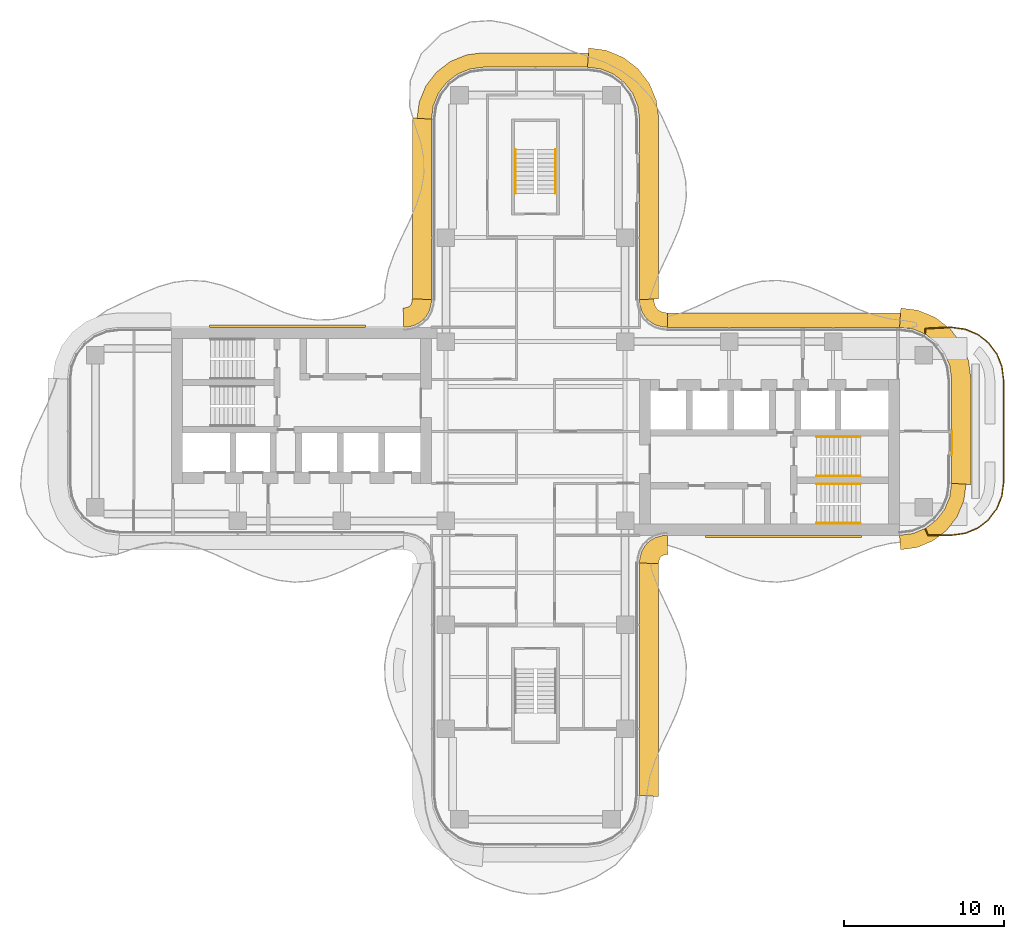
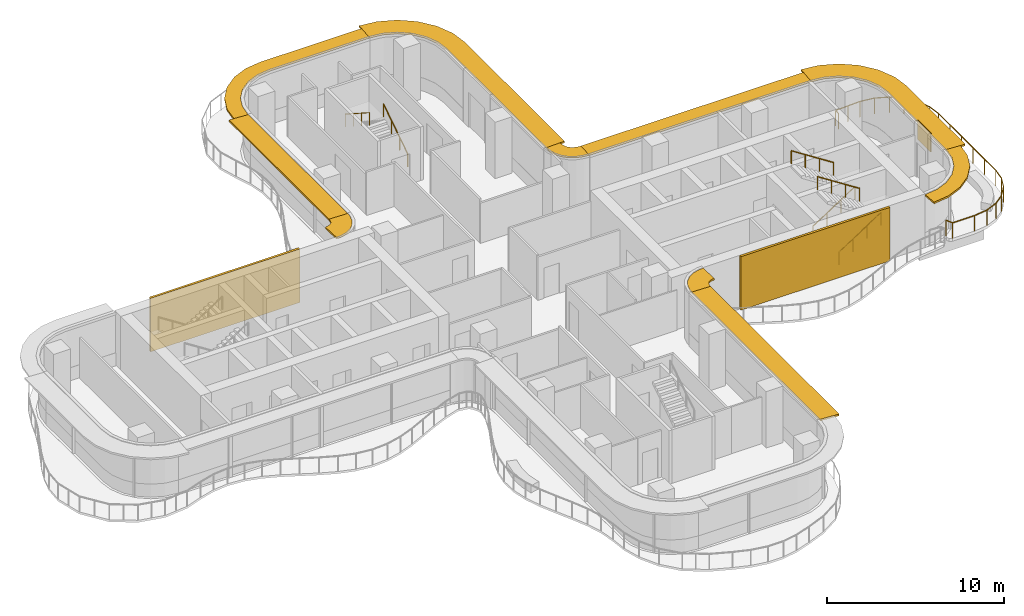
# One storey, part 17 of 17: 10 shading devices, 7 railings, 3 coverings.
"""IFC4 building model written with IfcOpenShell, lengths in metres."""

from ifc_helpers import new_model, si_unit, direction, frame, origin, origin_2d, place, context, subcontext, project, spatial, polyline, rectangle, circle, outline, extrude, source, transform, mapped, material, layer, layer_set, type_object, element, save


model = new_model("IFC4")

# Units and contexts
model_context = context("Model", 3, precision=1e-05, world=origin(), true_north=direction((0.0, 1.0)))
body_context = subcontext(model_context, "Body", "Model", "MODEL_VIEW")
ifc_project = project(units=[si_unit("LENGTHUNIT", "METRE"), si_unit("AREAUNIT", "SQUARE_METRE"), si_unit("VOLUMEUNIT", "CUBIC_METRE"), si_unit("PLANEANGLEUNIT", "RADIAN"), si_unit("MASSUNIT", "GRAM", prefix="KILO")], contexts=[model_context])

# Site, building, storey
site_placement = place(None, origin())
site = spatial("IfcSite", under=ifc_project, at=site_placement, CompositionType="ELEMENT")
building_placement = place(site_placement, origin())
building = spatial("IfcBuilding", under=site, at=building_placement, Name="Trellis Farm Tower", CompositionType="ELEMENT")
storey_placement = place(building_placement, frame((0.0, 0.0, 220.699951171875)))
storey = spatial("IfcBuildingStorey", under=building, at=storey_placement, Name="L48", CompositionType="ELEMENT", Elevation=220.699951171875)

# Railing
ifc_material_1 = material(Name="Stainless steel 316", Category="steel")
railing_type_1 = type_object("IfcRailingType", Name="BALUSTRADE GUARD 1100", PredefinedType="GUARDRAIL", material=ifc_material_1)
railing_1_placement = place(storey_placement, frame((24.341552734375, 6.078369140625, 0.0)))
element("IfcRailing", 1, at=railing_1_placement, inside=storey, type_object=railing_type_1, Name="GD1 BAL-2", PredefinedType="GUARDRAIL", context=body_context, shape_type="SweptSolid", body=[
    extrude(rectangle(XDim=0.050048828125, YDim=0.050048828125, at=origin_2d()), frame((0.0, 0.0, 1.0751953125), z_axis=(0.052972117127, 0.998595991784, 0.0), x_axis=(-0.998595991784, 0.052972117127, 0.0)), (0.0, 0.0, 1.0), 0.341064453125),
    extrude(rectangle(XDim=0.050048828125, YDim=0.050048828125, at=origin_2d()), frame((0.01806640625, 0.340576171875, 1.0751953125), z_axis=(0.998756827918, 0.049847755092, 0.0), x_axis=(-0.049847755092, 0.998756827918, 0.0)), (0.0, 0.0, 1.0), 1.6259765625),
    extrude(rectangle(XDim=0.050048828125, YDim=0.050048828125, at=origin_2d()), frame((1.64208984375, 0.421630859375, 1.0751953125), z_axis=(0.990497426516, -0.137531262137, 0.0), x_axis=(0.137531262137, 0.990497426516, 0.0)), (0.0, 0.0, 1.0), 0.896484375),
    extrude(rectangle(XDim=0.050048828125, YDim=0.050048828125, at=origin_2d()), frame((2.530029296875, 0.29833984375, 1.0751953125), z_axis=(0.919918153768, -0.392110431343, 0.0), x_axis=(0.392110431343, 0.919918153768, 0.0)), (0.0, 0.0, 1.0), 0.847412109375),
    extrude(rectangle(XDim=0.050048828125, YDim=0.050048828125, at=origin_2d()), frame((3.3095703125, -0.033935546875, 1.0751953125), z_axis=(0.78723737914, -0.616650070044, 0.0), x_axis=(0.616650070044, 0.78723737914, 0.0)), (0.0, 0.0, 1.0), 0.84716796875),
    extrude(rectangle(XDim=0.050048828125, YDim=0.050048828125, at=origin_2d()), frame((3.9765625, -0.556396484375, 1.0751953125), z_axis=(0.600691219023, -0.799481118844, 0.0), x_axis=(0.799481118844, 0.600691219023, 0.0)), (0.0, 0.0, 1.0), 0.847412109375),
    extrude(rectangle(XDim=0.050048828125, YDim=0.050048828125, at=origin_2d()), frame((4.485595703125, -1.23388671875, 1.0751953125), z_axis=(0.373476532483, -0.927639628134, 0.0), x_axis=(0.927639628134, 0.373476532483, 0.0)), (0.0, 0.0, 1.0), 0.84716796875),
    extrude(rectangle(XDim=0.050048828125, YDim=0.050048828125, at=origin_2d()), frame((4.802001953125, -2.019775390625, 1.0751953125), z_axis=(0.12797133763, -0.991777866634, 0.0), x_axis=(0.991777866634, 0.12797133763, 0.0)), (0.0, 0.0, 1.0), 0.831787109375),
    extrude(rectangle(XDim=0.050048828125, YDim=0.050048828125, at=origin_2d()), frame((4.908447265625, -2.8447265625, 1.0751953125), z_axis=(0.0, -1.0, 0.0), x_axis=(1.0, 0.0, 0.0)), (0.0, 0.0, 1.0), 6.46728515625),
    extrude(rectangle(XDim=0.050048828125, YDim=0.050048828125, at=origin_2d()), frame((4.908447265625, -9.31201171875, 1.0751953125), z_axis=(-0.12797133763, -0.991777866634, 0.0), x_axis=(0.991777866634, -0.12797133763, 0.0)), (0.0, 0.0, 1.0), 0.831787109375),
    extrude(rectangle(XDim=0.050048828125, YDim=0.050048828125, at=origin_2d()), frame((4.802001953125, -10.136962890625, 1.0751953125), z_axis=(-0.373476532483, -0.927639628134, 0.0), x_axis=(0.927639628134, -0.373476532483, 0.0)), (0.0, 0.0, 1.0), 0.84716796875),
    extrude(rectangle(XDim=0.050048828125, YDim=0.050048828125, at=origin_2d()), frame((4.485595703125, -10.9228515625, 1.0751953125), z_axis=(-0.608701247669, -0.793399515431, 0.0), x_axis=(0.793399515431, -0.608701247669, 0.0)), (0.0, 0.0, 1.0), 0.912109375),
    extrude(rectangle(XDim=0.050048828125, YDim=0.050048828125, at=origin_2d()), frame((3.930419921875, -11.646484375, 1.0751953125), z_axis=(-0.793400430463, -0.608700054987, 0.0), x_axis=(0.608700054987, -0.793400430463, 0.0)), (0.0, 0.0, 1.0), 0.782470703125),
    extrude(rectangle(XDim=0.050048828125, YDim=0.050048828125, at=origin_2d()), frame((3.3095703125, -12.122802734375, 1.0751953125), z_axis=(-0.919918153768, -0.392110431343, 0.0), x_axis=(0.392110431343, -0.919918153768, 0.0)), (0.0, 0.0, 1.0), 0.847412109375),
    extrude(rectangle(XDim=0.050048828125, YDim=0.050048828125, at=origin_2d()), frame((2.530029296875, -12.455078125, 1.0751953125), z_axis=(-0.990497426516, -0.137531262137, 0.0), x_axis=(0.137531262137, -0.990497426516, 0.0)), (0.0, 0.0, 1.0), 0.896484375),
    extrude(rectangle(XDim=0.050048828125, YDim=0.050048828125, at=origin_2d()), frame((1.64208984375, -12.578369140625, 1.0751953125), z_axis=(-1.0, 0.0, 0.0), x_axis=(0.0, -1.0, 0.0)), (0.0, 0.0, 1.0), 1.439697265625),
    extrude(rectangle(XDim=0.050048828125, YDim=0.050048828125, at=origin_2d()), frame((0.202392578125, -12.578369140625, 1.0751953125), z_axis=(-0.432748037993, 0.901514911476, 0.0), x_axis=(-0.901514911476, -0.432748037993, 0.0)), (0.0, 0.0, 1.0), 0.4677734375),
    extrude(rectangle(XDim=0.0400390625, YDim=0.0400390625, at=origin_2d()), origin(), (0.0, 0.0, 1.0), 1.050048828125),
    extrude(rectangle(XDim=0.0400390625, YDim=0.0400390625, at=origin_2d()), frame((0.01806640625, 0.340576171875, 0.0)), (0.0, 0.0, 1.0), 1.050048828125),
    extrude(rectangle(XDim=0.0400390625, YDim=0.0400390625, at=origin_2d()), frame((0.830078125, 0.381103515625, 0.0)), (0.0, 0.0, 1.0), 1.050048828125),
    extrude(rectangle(XDim=0.0400390625, YDim=0.0400390625, at=origin_2d()), frame((1.64208984375, 0.421630859375, 0.0)), (0.0, 0.0, 1.0), 1.050048828125),
    extrude(rectangle(XDim=0.0400390625, YDim=0.0400390625, at=origin_2d()), frame((2.530029296875, 0.29833984375, 0.0)), (0.0, 0.0, 1.0), 1.050048828125),
    extrude(rectangle(XDim=0.0400390625, YDim=0.0400390625, at=origin_2d()), frame((3.3095703125, -0.033935546875, 0.0)), (0.0, 0.0, 1.0), 1.050048828125),
    extrude(rectangle(XDim=0.0400390625, YDim=0.0400390625, at=origin_2d()), frame((3.9765625, -0.556396484375, 0.0)), (0.0, 0.0, 1.0), 1.050048828125),
    extrude(rectangle(XDim=0.0400390625, YDim=0.0400390625, at=origin_2d()), frame((4.485595703125, -1.23388671875, 0.0)), (0.0, 0.0, 1.0), 1.050048828125),
    extrude(rectangle(XDim=0.0400390625, YDim=0.0400390625, at=origin_2d()), frame((4.802001953125, -2.019775390625, 0.0)), (0.0, 0.0, 1.0), 1.050048828125),
    extrude(rectangle(XDim=0.0400390625, YDim=0.0400390625, at=origin_2d()), frame((4.908447265625, -2.8447265625, 0.0)), (0.0, 0.0, 1.0), 1.050048828125),
    extrude(rectangle(XDim=0.0400390625, YDim=0.0400390625, at=origin_2d()), frame((4.908447265625, -4.13818359375, 0.0)), (0.0, 0.0, 1.0), 1.050048828125),
    extrude(rectangle(XDim=0.0400390625, YDim=0.0400390625, at=origin_2d()), frame((4.908447265625, -5.431640625, 0.0)), (0.0, 0.0, 1.0), 1.050048828125),
    extrude(rectangle(XDim=0.0400390625, YDim=0.0400390625, at=origin_2d()), frame((4.908447265625, -6.72509765625, 0.0)), (0.0, 0.0, 1.0), 1.050048828125),
    extrude(rectangle(XDim=0.0400390625, YDim=0.0400390625, at=origin_2d()), frame((4.908447265625, -8.0185546875, 0.0)), (0.0, 0.0, 1.0), 1.050048828125),
    extrude(rectangle(XDim=0.0400390625, YDim=0.0400390625, at=origin_2d()), frame((4.908447265625, -9.31201171875, 0.0)), (0.0, 0.0, 1.0), 1.050048828125),
    extrude(rectangle(XDim=0.0400390625, YDim=0.0400390625, at=origin_2d()), frame((4.802001953125, -10.136962890625, 0.0)), (0.0, 0.0, 1.0), 1.050048828125),
    extrude(rectangle(XDim=0.0400390625, YDim=0.0400390625, at=origin_2d()), frame((4.485595703125, -10.9228515625, 0.0)), (0.0, 0.0, 1.0), 1.050048828125),
    extrude(rectangle(XDim=0.0400390625, YDim=0.0400390625, at=origin_2d()), frame((3.930419921875, -11.646484375, 0.0)), (0.0, 0.0, 1.0), 1.050048828125),
    extrude(rectangle(XDim=0.0400390625, YDim=0.0400390625, at=origin_2d()), frame((3.3095703125, -12.122802734375, 0.0)), (0.0, 0.0, 1.0), 1.050048828125),
    extrude(rectangle(XDim=0.0400390625, YDim=0.0400390625, at=origin_2d()), frame((2.530029296875, -12.455078125, 0.0)), (0.0, 0.0, 1.0), 1.050048828125),
    extrude(rectangle(XDim=0.0400390625, YDim=0.0400390625, at=origin_2d()), frame((1.64208984375, -12.578369140625, 0.0)), (0.0, 0.0, 1.0), 1.050048828125),
    extrude(rectangle(XDim=0.0400390625, YDim=0.0400390625, at=origin_2d()), frame((0.202392578125, -12.578369140625, 0.0)), (0.0, 0.0, 1.0), 1.050048828125),
    extrude(rectangle(XDim=0.0400390625, YDim=0.0400390625, at=origin_2d()), frame((0.0, -12.15673828125, 0.0)), (0.0, 0.0, 1.0), 1.050048828125),
])

# Covering
ifc_material_2 = material(Name="Sandstone", Category="masonry")
ifc_layer_1 = layer(ifc_material_2, 0.050048828125)
ifc_layer_set_1 = layer_set([ifc_layer_1], Name="STONE CLADDING PANEL")
covering_type_1 = type_object("IfcCoveringType", Name="STONE CLADDING PANEL", PredefinedType="CLADDING", material=ifc_layer_set_1)
covering_1_placement = place(storey_placement, frame((0.0, 0.0, 2.400146484375)))
element("IfcCovering", 2, at=covering_1_placement, inside=storey, type_object=covering_type_1, Name="CD1 01", PredefinedType="CLADDING", context=body_context, shape_type="SweptSolid", body=[
    extrude(outline(polyline([(26.050048828125, -1.47998046875), (26.050048828125, 0.02001953125), (26.0, 0.02001953125), (26.0, -1.47998046875), (26.050048828125, -1.47998046875)])), origin(), (0.0, 0.0, 1.0), 1.2998046875),
])

# Railings
ifc_material_3 = material(Name="Stainless steel", Category="steel")
railing_type_2 = type_object("IfcRailingType", Name="STAIR HANDRAIL 900", PredefinedType="HANDRAIL", material=ifc_material_3)
shared_shape_1 = source(origin(), body_context, "Body", "SweptSolid", [
    extrude(circle(Radius=0.02392578125, at=origin_2d()), frame((0.0, 0.0, 0.8759765625), z_axis=(0.0, 0.840503830235, 0.541805602924), x_axis=(-1.0, 0.0, 0.0)), (0.0, 0.0, 1.0), 3.271728515625),
    extrude(circle(Radius=0.02099609375, at=origin_2d()), origin(), (0.0, 0.0, 1.0), 0.851806640625),
    extrude(circle(Radius=0.02099609375, at=origin_2d()), frame((0.0, 0.916748046875, 0.5908203125)), (0.0, 0.0, 1.0), 0.851806640625),
    extrude(circle(Radius=0.02099609375, at=origin_2d()), frame((0.0, 1.833251953125, 1.181884765625)), (0.0, 0.0, 1.0), 0.851806640625),
    extrude(circle(Radius=0.02099609375, at=origin_2d()), frame((0.0, 2.75, 1.772705078125)), (0.0, 0.0, 1.0), 0.851806640625),
])
railing_2_placement = place(storey_placement, frame((1.25, 14.85009765625, 0.17724609375)))
element("IfcRailing", 3, at=railing_2_placement, inside=storey, type_object=railing_type_2, Name="Stair handrail", PredefinedType="HANDRAIL", context=body_context, shape_type="MappedRepresentation", body=[
    mapped(shared_shape_1, transform((0.0, 0.0, 0.0))),
])
shared_shape_2 = source(origin(), body_context, "Body", "SweptSolid", [
    extrude(circle(Radius=0.02392578125, at=origin_2d()), frame((0.0, 0.0, 0.8759765625), z_axis=(0.0, -0.840503830235, 0.541805602924), x_axis=(1.0, 0.0, 0.0)), (0.0, 0.0, 1.0), 3.271728515625),
    extrude(circle(Radius=0.02099609375, at=origin_2d()), origin(), (0.0, 0.0, 1.0), 0.851806640625),
    extrude(circle(Radius=0.02099609375, at=origin_2d()), frame((0.0, -0.916748046875, 0.5908203125)), (0.0, 0.0, 1.0), 0.851806640625),
    extrude(circle(Radius=0.02099609375, at=origin_2d()), frame((0.0, -1.833251953125, 1.181884765625)), (0.0, 0.0, 1.0), 0.851806640625),
    extrude(circle(Radius=0.02099609375, at=origin_2d()), frame((0.0, -2.75, 1.772705078125)), (0.0, 0.0, 1.0), 0.851806640625),
])
railing_3_placement = place(storey_placement, frame((-1.25, 17.60009765625, 2.12744140625)))
element("IfcRailing", 4, at=railing_3_placement, inside=storey, type_object=railing_type_2, Name="Stair handrail", PredefinedType="HANDRAIL", context=body_context, shape_type="MappedRepresentation", body=[
    mapped(shared_shape_2, transform((0.0, 0.0, 0.0))),
])
shared_shape_3 = source(origin(), body_context, "Body", "SweptSolid", [
    extrude(circle(Radius=0.02392578125, at=origin_2d()), frame((0.0, 0.0, 0.8759765625), z_axis=(0.840503830235, 0.0, 0.541805602924), x_axis=(0.0, 1.0, 0.0)), (0.0, 0.0, 1.0), 3.271728515625),
    extrude(circle(Radius=0.02099609375, at=origin_2d()), origin(), (0.0, 0.0, 1.0), 0.851806640625),
    extrude(circle(Radius=0.02099609375, at=origin_2d()), frame((0.916748046875, 0.0, 0.5908203125)), (0.0, 0.0, 1.0), 0.851806640625),
    extrude(circle(Radius=0.02099609375, at=origin_2d()), frame((1.833251953125, 0.0, 1.181884765625)), (0.0, 0.0, 1.0), 0.851806640625),
    extrude(circle(Radius=0.02099609375, at=origin_2d()), frame((2.75, 0.0, 1.772705078125)), (0.0, 0.0, 1.0), 0.851806640625),
])
for number, where, name in (
    (5, (17.550048828125, -5.75, 0.17724609375), "Stair handrail"),
    (6, (17.550048828125, -2.800048828125, 0.17724609375), "Stair handrail"),
):
    element("IfcRailing", number, at=place(storey_placement, frame(where)), inside=storey, type_object=railing_type_2, Name=name, PredefinedType="HANDRAIL", context=body_context, shape_type="MappedRepresentation", body=[
        mapped(shared_shape_3, transform((0.0, 0.0, 0.0))),
    ])
shared_shape_4 = source(origin(), body_context, "Body", "SweptSolid", [
    extrude(circle(Radius=0.02392578125, at=origin_2d()), frame((0.0, 0.0, 0.8759765625), z_axis=(-0.840503830235, 0.0, 0.541805602924), x_axis=(0.0, -1.0, 0.0)), (0.0, 0.0, 1.0), 3.271728515625),
    extrude(circle(Radius=0.02099609375, at=origin_2d()), origin(), (0.0, 0.0, 1.0), 0.851806640625),
    extrude(circle(Radius=0.02099609375, at=origin_2d()), frame((-0.916748046875, 0.0, 0.5908203125)), (0.0, 0.0, 1.0), 0.851806640625),
    extrude(circle(Radius=0.02099609375, at=origin_2d()), frame((-1.833251953125, 0.0, 1.181884765625)), (0.0, 0.0, 1.0), 0.851806640625),
    extrude(circle(Radius=0.02099609375, at=origin_2d()), frame((-2.75, 0.0, 1.772705078125)), (0.0, 0.0, 1.0), 0.851806640625),
])
for number, where, name in (
    (7, (20.300048828125, -3.300048828125, 2.12744140625), "Stair handrail"),
    (8, (20.300048828125, -0.35009765625, 2.12744140625), "Stair handrail"),
):
    element("IfcRailing", number, at=place(storey_placement, frame(where)), inside=storey, type_object=railing_type_2, Name=name, PredefinedType="HANDRAIL", context=body_context, shape_type="MappedRepresentation", body=[
        mapped(shared_shape_4, transform((0.0, 0.0, 0.0))),
    ])

# Shading devices
ifc_material_4 = material(Name="Aluminium extrusion 6063-T6", Category="aluminium")
ifc_layer_2 = layer(ifc_material_4, 0.1201171875)
ifc_layer_set_2 = layer_set([ifc_layer_2], Name="SUNSHADE BLADE 1200")
shading_device_type_1 = type_object("IfcShadingDeviceType", Name="SUNSHADE BLADE 1200", PredefinedType="USERDEFINED", material=ifc_layer_set_2)
shared_shape_5 = source(origin(), body_context, "Body", "SweptSolid", [
    extrude(outline(polyline([(7.699951171875, -22.82861328125), (7.699951171875, -8.270751953125), (6.5, -8.2314453125), (6.5, -22.75), (7.699951171875, -22.82861328125)])), origin(), (0.0, 0.0, 1.0), 0.1201171875),
])
placement_1 = place(storey_placement, frame((0.0, 0.0, 3.5400390625)))
element("IfcShadingDevice", 9, at=placement_1, inside=storey, type_object=shading_device_type_1, Name="SD2 005", ObjectType="SUNSHADE", PredefinedType="USERDEFINED", context=body_context, shape_type="MappedRepresentation", body=[
    mapped(shared_shape_5, transform((0.0, 0.0, 0.0))),
])
shared_shape_6 = source(origin(), body_context, "Body", "SweptSolid", [
    extrude(outline(polyline([(7.699951171875, -8.270751953125), (7.708740234375, -8.13720703125), (7.70703125, -8.150146484375), (7.7548828125, -7.9716796875), (7.80712890625, -7.881103515625), (7.881103515625, -7.80712890625), (7.9716796875, -7.7548828125), (8.150146484375, -7.70703125), (8.13720703125, -7.708740234375), (8.270751953125, -7.699951171875), (8.2314453125, -6.5), (8.01953125, -6.513916015625), (7.91552734375, -6.527587890625), (7.508544921875, -6.63671875), (7.144287109375, -6.846923828125), (6.846923828125, -7.144287109375), (6.63671875, -7.508544921875), (6.527587890625, -7.91552734375), (6.513916015625, -8.01953125), (6.5, -8.2314453125), (7.699951171875, -8.270751953125)])), origin(), (0.0, 0.0, 1.0), 0.1201171875),
])
element("IfcShadingDevice", 10, at=placement_1, inside=storey, type_object=shading_device_type_1, Name="SD2 006", ObjectType="SUNSHADE", PredefinedType="USERDEFINED", context=body_context, shape_type="MappedRepresentation", body=[
    mapped(shared_shape_6, transform((0.0, 0.0, 0.0))),
])
ifc_layer_3 = layer(ifc_material_4, 0.1201171875)
ifc_layer_set_3 = layer_set([ifc_layer_3], Name="SUNSHADE BLADE 900")
shading_device_type_2 = type_object("IfcShadingDeviceType", Name="SUNSHADE BLADE 900", PredefinedType="USERDEFINED", material=ifc_layer_set_3)
shared_shape_7 = source(origin(), body_context, "Body", "SweptSolid", [
    extrude(outline(polyline([(8.2607421875, 7.39990234375), (8.107666015625, 7.409912109375), (8.091552734375, 7.412109375), (7.85595703125, 7.475341796875), (7.697021484375, 7.567138671875), (7.567138671875, 7.697021484375), (7.475341796875, 7.85595703125), (7.412109375, 8.091552734375), (7.409912109375, 8.107666015625), (7.39990234375, 8.2607421875), (6.5, 8.2314453125), (6.513916015625, 8.01953125), (6.527587890625, 7.91552734375), (6.63671875, 7.508544921875), (6.846923828125, 7.144287109375), (7.144287109375, 6.846923828125), (7.508544921875, 6.63671875), (7.91552734375, 6.527587890625), (8.01953125, 6.513916015625), (8.2314453125, 6.5), (8.2607421875, 7.39990234375)])), origin(), (0.0, 0.0, 1.0), 0.1201171875),
])
element("IfcShadingDevice", 11, at=placement_1, inside=storey, type_object=shading_device_type_2, Name="SD1 010", ObjectType="SUNSHADE", PredefinedType="USERDEFINED", context=body_context, shape_type="MappedRepresentation", body=[
    mapped(shared_shape_7, transform((0.0, 0.0, 0.0))),
])
shared_shape_8 = source(origin(), body_context, "Body", "SweptSolid", [
    extrude(outline(polyline([(-7.699951171875, 8.270751953125), (-7.708740234375, 8.13720703125), (-7.70703125, 8.150146484375), (-7.7548828125, 7.9716796875), (-7.80712890625, 7.881103515625), (-7.881103515625, 7.80712890625), (-7.9716796875, 7.7548828125), (-8.150146484375, 7.70703125), (-8.13720703125, 7.708740234375), (-8.270751953125, 7.699951171875), (-8.2314453125, 6.5), (-8.01953125, 6.513916015625), (-7.91552734375, 6.527587890625), (-7.508544921875, 6.63671875), (-7.144287109375, 6.846923828125), (-6.846923828125, 7.144287109375), (-6.63671875, 7.508544921875), (-6.527587890625, 7.91552734375), (-6.513916015625, 8.01953125), (-6.5, 8.2314453125), (-7.699951171875, 8.270751953125)])), origin(), (0.0, 0.0, 1.0), 0.1201171875),
])
element("IfcShadingDevice", 12, at=placement_1, inside=storey, type_object=shading_device_type_1, Name="SD2 014", ObjectType="SUNSHADE", PredefinedType="USERDEFINED", context=body_context, shape_type="MappedRepresentation", body=[
    mapped(shared_shape_8, transform((0.0, 0.0, 0.0))),
])

# Covering
ifc_material_5 = material(Name="Perforated precast screen (cobogo)", Category="concrete")
ifc_layer_4 = layer(ifc_material_5, 0.14990234375)
ifc_layer_set_4 = layer_set([ifc_layer_4], Name="COBOGO SCREEN PANEL")
covering_type_2 = type_object("IfcCoveringType", Name="COBOGO SCREEN PANEL", PredefinedType="USERDEFINED", material=ifc_layer_set_4)
shared_shape_9 = source(origin(), body_context, "Body", "SweptSolid", [
    extrude(outline(polyline([(-10.630615234375, 6.64990234375), (-20.380615234375, 6.64990234375), (-20.380615234375, 6.5), (-10.630615234375, 6.5), (-10.630615234375, 6.64990234375)])), origin(), (0.0, 0.0, 1.0), 3.699951171875),
])
placement_2 = place(storey_placement, origin())
element("IfcCovering", 13, at=placement_2, inside=storey, type_object=covering_type_2, Name="SC1 02", ObjectType="SCREEN", PredefinedType="USERDEFINED", context=body_context, shape_type="MappedRepresentation", body=[
    mapped(shared_shape_9, transform((0.0, 0.0, 0.0))),
])

# Shading devices
shared_shape_10 = source(origin(), body_context, "Body", "SweptSolid", [
    extrude(outline(polyline([(7.699951171875, 8.270751953125), (7.699951171875, 19.57861328125), (7.558349609375, 20.654541015625), (7.11279296875, 21.730224609375), (6.404052734375, 22.654052734375), (5.480224609375, 23.36279296875), (4.404541015625, 23.808349609375), (3.32861328125, 23.949951171875), (3.25, 22.75), (4.091064453125, 22.63916015625), (4.875, 22.314697265625), (5.548095703125, 21.798095703125), (6.064697265625, 21.125), (6.38916015625, 20.341064453125), (6.5, 19.5), (6.5, 8.2314453125), (7.699951171875, 8.270751953125)])), origin(), (0.0, 0.0, 1.0), 0.1201171875),
])
element("IfcShadingDevice", 14, at=placement_1, inside=storey, type_object=shading_device_type_1, Name="SD2 011", ObjectType="SUNSHADE", PredefinedType="USERDEFINED", context=body_context, shape_type="MappedRepresentation", body=[
    mapped(shared_shape_10, transform((0.0, 0.0, 0.0))),
])
shared_shape_11 = source(origin(), body_context, "Body", "SweptSolid", [
    extrude(outline(polyline([(3.30908203125, 23.64990234375), (-3.30908203125, 23.64990234375), (-4.326171875, 23.51611328125), (-5.328857421875, 23.100830078125), (-6.18994140625, 22.43994140625), (-6.850830078125, 21.578857421875), (-7.26611328125, 20.576171875), (-7.39990234375, 19.55908203125), (-6.5, 19.5), (-6.38916015625, 20.341064453125), (-6.064697265625, 21.125), (-5.548095703125, 21.798095703125), (-4.875, 22.314697265625), (-4.091064453125, 22.63916015625), (-3.25, 22.75), (3.25, 22.75), (3.30908203125, 23.64990234375)])), origin(), (0.0, 0.0, 1.0), 0.1201171875),
])
element("IfcShadingDevice", 15, at=placement_1, inside=storey, type_object=shading_device_type_2, Name="SD1 012", ObjectType="SUNSHADE", PredefinedType="USERDEFINED", context=body_context, shape_type="MappedRepresentation", body=[
    mapped(shared_shape_11, transform((0.0, 0.0, 0.0))),
])
shared_shape_12 = source(origin(), body_context, "Body", "SweptSolid", [
    extrude(outline(polyline([(-7.699951171875, 19.57861328125), (-7.699951171875, 8.270751953125), (-6.5, 8.2314453125), (-6.5, 19.5), (-7.699951171875, 19.57861328125)])), origin(), (0.0, 0.0, 1.0), 0.1201171875),
])
element("IfcShadingDevice", 16, at=placement_1, inside=storey, type_object=shading_device_type_1, Name="SD2 013", ObjectType="SUNSHADE", PredefinedType="USERDEFINED", context=body_context, shape_type="MappedRepresentation", body=[
    mapped(shared_shape_12, transform((0.0, 0.0, 0.0))),
])
shared_shape_13 = source(origin(), body_context, "Body", "SweptSolid", [
    extrude(outline(polyline([(22.80908203125, -7.39990234375), (23.826171875, -7.26611328125), (24.828857421875, -6.850830078125), (25.68994140625, -6.18994140625), (26.350830078125, -5.328857421875), (26.76611328125, -4.326171875), (26.89990234375, -3.30908203125), (26.0, -3.25), (25.88916015625, -4.091064453125), (25.564697265625, -4.875), (25.048095703125, -5.548095703125), (24.375, -6.064697265625), (23.591064453125, -6.38916015625), (22.75, -6.5), (22.80908203125, -7.39990234375)])), origin(), (0.0, 0.0, 1.0), 0.1201171875),
])
element("IfcShadingDevice", 17, at=placement_1, inside=storey, type_object=shading_device_type_2, Name="SD1 007", ObjectType="SUNSHADE", PredefinedType="USERDEFINED", context=body_context, shape_type="MappedRepresentation", body=[
    mapped(shared_shape_13, transform((0.0, 0.0, 0.0))),
])
shared_shape_14 = source(origin(), body_context, "Body", "SweptSolid", [
    extrude(outline(polyline([(27.199951171875, -3.32861328125), (27.199951171875, 3.32861328125), (27.058349609375, 4.404541015625), (26.61279296875, 5.480224609375), (25.904052734375, 6.404052734375), (24.980224609375, 7.11279296875), (23.904541015625, 7.558349609375), (22.82861328125, 7.699951171875), (22.75, 6.5), (23.591064453125, 6.38916015625), (24.375, 6.064697265625), (25.048095703125, 5.548095703125), (25.564697265625, 4.875), (25.88916015625, 4.091064453125), (26.0, 3.25), (26.0, -3.25), (27.199951171875, -3.32861328125)])), origin(), (0.0, 0.0, 1.0), 0.1201171875),
])
element("IfcShadingDevice", 18, at=placement_1, inside=storey, type_object=shading_device_type_1, Name="SD2 008", ObjectType="SUNSHADE", PredefinedType="USERDEFINED", context=body_context, shape_type="MappedRepresentation", body=[
    mapped(shared_shape_14, transform((0.0, 0.0, 0.0))),
])
shared_shape_15 = source(origin(), body_context, "Body", "SweptSolid", [
    extrude(outline(polyline([(22.80908203125, 7.39990234375), (8.2607421875, 7.39990234375), (8.2314453125, 6.5), (22.75, 6.5), (22.80908203125, 7.39990234375)])), origin(), (0.0, 0.0, 1.0), 0.1201171875),
])
element("IfcShadingDevice", 19, at=placement_1, inside=storey, type_object=shading_device_type_2, Name="SD1 009", ObjectType="SUNSHADE", PredefinedType="USERDEFINED", context=body_context, shape_type="MappedRepresentation", body=[
    mapped(shared_shape_15, transform((0.0, 0.0, 0.0))),
])

# Covering
shared_shape_16 = source(origin(), body_context, "Body", "SweptSolid", [
    extrude(outline(polyline([(10.61572265625, -6.64990234375), (20.36572265625, -6.64990234375), (20.36572265625, -6.5), (10.61572265625, -6.5), (10.61572265625, -6.64990234375)])), origin(), (0.0, 0.0, 1.0), 3.699951171875),
])
element("IfcCovering", 20, at=placement_2, inside=storey, type_object=covering_type_2, Name="SC1 01", ObjectType="SCREEN", PredefinedType="USERDEFINED", context=body_context, shape_type="MappedRepresentation", body=[
    mapped(shared_shape_16, transform((0.0, 0.0, 0.0))),
])

save(model, "model.ifc")
